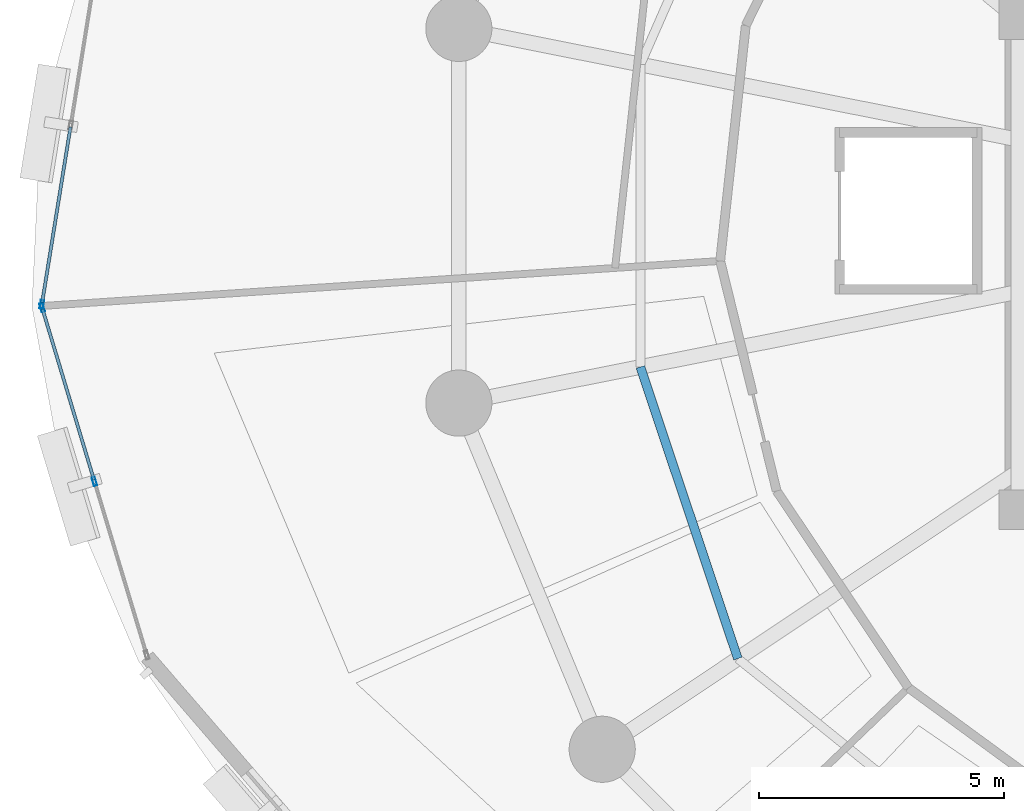
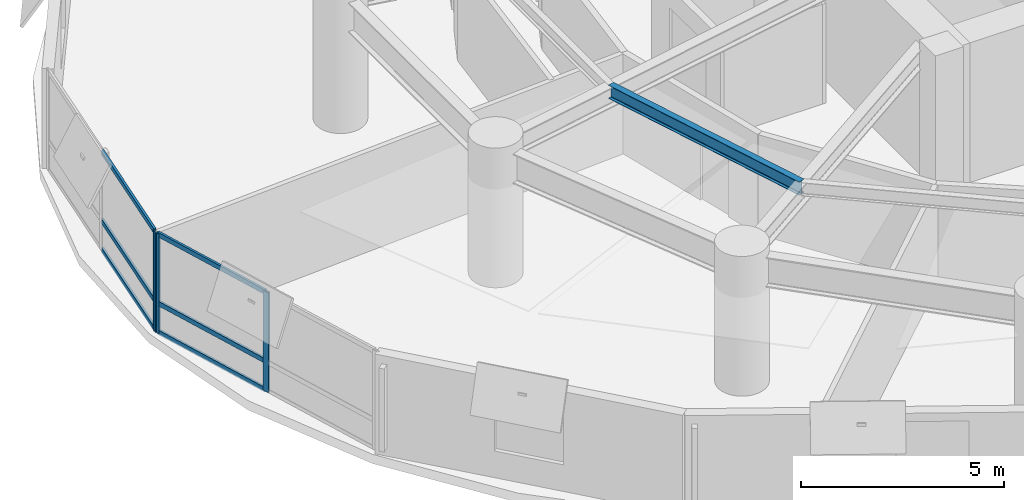
# One storey, part 4 of 16: 9 members, 1 beam, 2 elements without a shape of their own.
"""IFC4 building model written with IfcOpenShell, lengths in metres."""

from ifc_helpers import new_model, si_unit, direction, frame, origin, origin_2d, place, context, subcontext, project, spatial, hollow_rectangle, i_section, extrude, material, layer, layer_set, material_profile, profile_set, type_object, element, aggregate, save


model = new_model("IFC4")

# Units and contexts
model_context = context("Model", 3, precision=1e-05, world=origin(), true_north=direction((0.0, 1.0)))
body_context = subcontext(model_context, "Body", "Model", "MODEL_VIEW")
ifc_project = project(units=[si_unit("LENGTHUNIT", "METRE"), si_unit("AREAUNIT", "SQUARE_METRE"), si_unit("VOLUMEUNIT", "CUBIC_METRE"), si_unit("PLANEANGLEUNIT", "RADIAN"), si_unit("MASSUNIT", "GRAM", prefix="KILO"), si_unit("THERMODYNAMICTEMPERATUREUNIT", "KELVIN"), si_unit("POWERUNIT", "WATT")], contexts=[model_context])

# Site, building, storey
site_placement = place(None, origin())
site = spatial("IfcSite", under=ifc_project, at=site_placement, CompositionType="ELEMENT")
building_placement = place(site_placement, origin())
building = spatial("IfcBuilding", under=site, at=building_placement, Name="Ocrelia Relay Tower", CompositionType="ELEMENT")
storey_placement = place(building_placement, frame((0.0, 0.0, 46.800048828125)))
storey = spatial("IfcBuildingStorey", under=building, at=storey_placement, Name="L10", CompositionType="ELEMENT", Elevation=46.800048828125)

# Beam
ifc_material_1 = material(Name="Steel S355", Category="steel")
ifc_material_profile_1 = material_profile(ifc_material_1, i_section(OverallWidth=0.179931640625, OverallDepth=0.39990234375, WebThickness=0.008544921875, FlangeThickness=0.013427734375, FilletRadius=0.02099609375, at=origin_2d()), Name="IPE 400")
ifc_profile_set_1 = profile_set([ifc_material_profile_1], Name="Steel S355")
beam_type = type_object("IfcBeamType", Name="BM-IPE400", PredefinedType="JOIST", material=ifc_profile_set_1)
beam_placement = place(storey_placement, frame((18.481689453125, 22.9130859375, 3.719970703125), z_axis=(0.317067865999, -0.948402851298, 0.0), x_axis=(0.948402851298, 0.317067865999, 0.0)))
element("IfcBeam", 1, at=beam_placement, inside=storey, type_object=beam_type, Name="L10 Secondary Floor Joist J09", PredefinedType="JOIST", context=body_context, shape_type="SweptSolid", body=[
    extrude(i_section(OverallWidth=0.179931640625, OverallDepth=0.39990234375, WebThickness=0.008544921875, FlangeThickness=0.013427734375, FilletRadius=0.02099609375, at=origin_2d()), origin(), (0.0, 0.0, 1.0), 6.276123046875),
])

# Curtain wall, member
ifc_material_2 = material(Name="Aluminium and solar-control low-E glass", Category="aluminium")
ifc_layer = layer(ifc_material_2, 0.179931640625, Name="Aluminium and solar-control low-E glass")
ifc_layer_set = layer_set([ifc_layer], Name="Aluminium and solar-control low-E glass")
curtain_wall_type = type_object("IfcCurtainWallType", Name="CW-SYS-Z1-DATA", PredefinedType="NOTDEFINED", material=ifc_layer_set)
curtain_wall_1_placement = place(storey_placement, origin())
curtain_wall_1 = element("IfcCurtainWall", 2, at=curtain_wall_1_placement, inside=storey, type_object=curtain_wall_type, Name="L10 Elliptical Tower Curtain Wall Bay 09", PredefinedType="NOTDEFINED")
ifc_material_3 = material(Name="Anodised bronze aluminium", Category="aluminium")
ifc_material_profile_2 = material_profile(ifc_material_3, hollow_rectangle(XDim=0.070068359375, YDim=0.179931640625, WallThickness=0.006103515625, at=origin_2d()), Name="CW-MUL-180x70")
ifc_profile_set_2 = profile_set([ifc_material_profile_2], Name="Anodised bronze aluminium")
member_type_1 = type_object("IfcMemberType", Name="CW-SYS-Z1-DATA-MUL", PredefinedType="MULLION", material=ifc_profile_set_2)
member_1_placement = place(storey_placement, frame((6.2666015625, 24.192138671875, 0.0), z_axis=(0.0, 0.0, 1.0), x_axis=(0.987246140039, -0.159201315878, 0.0)))
member_1 = element("IfcMember", 3, at=member_1_placement, type_object=member_type_1, Name="CW-Z1 mullion 3", PredefinedType="MULLION", context=body_context, shape_type="SweptSolid", body=[
    extrude(hollow_rectangle(XDim=0.070068359375, YDim=0.179931640625, WallThickness=0.006103515625, at=origin_2d()), origin(), (0.0, 0.0, 1.0), 3.0),
])

# Curtain wall, members
curtain_wall_2_placement = place(storey_placement, origin())
curtain_wall_2 = element("IfcCurtainWall", 4, at=curtain_wall_2_placement, inside=storey, type_object=curtain_wall_type, Name="L10 Elliptical Tower Curtain Wall Bay 10", PredefinedType="NOTDEFINED")
member_2_placement = place(storey_placement, frame((6.271240234375, 24.1240234375, 0.0), z_axis=(0.0, 0.0, 1.0), x_axis=(0.957519048291, 0.288370026457, 0.0)))
member_2 = element("IfcMember", 5, at=member_2_placement, type_object=member_type_1, Name="CW-Z1 mullion 1", PredefinedType="MULLION", context=body_context, shape_type="SweptSolid", body=[
    extrude(hollow_rectangle(XDim=0.070068359375, YDim=0.179931640625, WallThickness=0.006103515625, at=origin_2d()), origin(), (0.0, 0.0, 1.0), 3.0),
])
member_3_placement = place(storey_placement, frame((7.3388671875, 20.57861328125, 0.0), z_axis=(0.0, 0.0, 1.0), x_axis=(0.957519048291, 0.288370026457, 0.0)))
member_3 = element("IfcMember", 6, at=member_3_placement, type_object=member_type_1, Name="CW-Z1 mullion 2", PredefinedType="MULLION", context=body_context, shape_type="SweptSolid", body=[
    extrude(hollow_rectangle(XDim=0.070068359375, YDim=0.179931640625, WallThickness=0.006103515625, at=origin_2d()), origin(), (0.0, 0.0, 1.0), 3.0),
])

# Member
ifc_material_profile_3 = material_profile(ifc_material_3, hollow_rectangle(XDim=0.06494140625, YDim=0.139892578125, WallThickness=0.0048828125, at=origin_2d()), Name="CW-TRN-140x65")
ifc_profile_set_3 = profile_set([ifc_material_profile_3], Name="Anodised bronze aluminium")
member_type_2 = type_object("IfcMemberType", Name="CW-SYS-Z1-DATA-TRN", PredefinedType="USERDEFINED", material=ifc_profile_set_3)
member_4_placement = place(storey_placement, frame((6.8505859375, 27.81298828125, 0.032470703125), z_axis=(-0.15921976031, -0.987243165551, 0.0), x_axis=(0.987243165551, -0.15921976031, 0.0)))
member_4 = element("IfcMember", 7, at=member_4_placement, type_object=member_type_2, Name="CW-Z1 transom 2.1", ObjectType="TRANSOM", PredefinedType="USERDEFINED", context=body_context, shape_type="SweptSolid", body=[
    extrude(hollow_rectangle(XDim=0.06494140625, YDim=0.139892578125, WallThickness=0.0048828125, at=origin_2d()), origin(), (0.0, 0.0, 1.0), 3.632568359375),
])

member_5_placement = place(storey_placement, frame((6.8505859375, 27.81298828125, 0.89990234375), z_axis=(-0.15921976031, -0.987243165551, 0.0), x_axis=(0.987243165551, -0.15921976031, 0.0)))
member_5 = element("IfcMember", 8, at=member_5_placement, type_object=member_type_2, Name="CW-Z1 transom 2.2", ObjectType="TRANSOM", PredefinedType="USERDEFINED", context=body_context, shape_type="SweptSolid", body=[
    extrude(hollow_rectangle(XDim=0.06494140625, YDim=0.139892578125, WallThickness=0.0048828125, at=origin_2d()), origin(), (0.0, 0.0, 1.0), 3.632568359375),
])

member_6_placement = place(storey_placement, frame((6.8505859375, 27.81298828125, 2.967529296875), z_axis=(-0.15921976031, -0.987243165551, 0.0), x_axis=(0.987243165551, -0.15921976031, 0.0)))
member_6 = element("IfcMember", 9, at=member_6_placement, type_object=member_type_2, Name="CW-Z1 transom 2.3", ObjectType="TRANSOM", PredefinedType="USERDEFINED", context=body_context, shape_type="SweptSolid", body=[
    extrude(hollow_rectangle(XDim=0.06494140625, YDim=0.139892578125, WallThickness=0.0048828125, at=origin_2d()), origin(), (0.0, 0.0, 1.0), 3.632568359375),
])

aggregate(curtain_wall_1, [member_1, member_4, member_5, member_6])

member_7_placement = place(storey_placement, frame((6.28125, 24.090576171875, 0.032470703125), z_axis=(0.288371191123, -0.957518697536, 0.0), x_axis=(0.957518697536, 0.288371191123, 0.0)))
member_7 = element("IfcMember", 10, at=member_7_placement, type_object=member_type_2, Name="CW-Z1 transom 1.1", ObjectType="TRANSOM", PredefinedType="USERDEFINED", context=body_context, shape_type="SweptSolid", body=[
    extrude(hollow_rectangle(XDim=0.06494140625, YDim=0.139892578125, WallThickness=0.0048828125, at=origin_2d()), origin(), (0.0, 0.0, 1.0), 3.6328125),
])

member_8_placement = place(storey_placement, frame((6.28125, 24.090576171875, 0.89990234375), z_axis=(0.288371191123, -0.957518697536, 0.0), x_axis=(0.957518697536, 0.288371191123, 0.0)))
member_8 = element("IfcMember", 11, at=member_8_placement, type_object=member_type_2, Name="CW-Z1 transom 1.2", ObjectType="TRANSOM", PredefinedType="USERDEFINED", context=body_context, shape_type="SweptSolid", body=[
    extrude(hollow_rectangle(XDim=0.06494140625, YDim=0.139892578125, WallThickness=0.0048828125, at=origin_2d()), origin(), (0.0, 0.0, 1.0), 3.6328125),
])

member_9_placement = place(storey_placement, frame((6.28125, 24.090576171875, 2.967529296875), z_axis=(0.288371191123, -0.957518697536, 0.0), x_axis=(0.957518697536, 0.288371191123, 0.0)))
member_9 = element("IfcMember", 12, at=member_9_placement, type_object=member_type_2, Name="CW-Z1 transom 1.3", ObjectType="TRANSOM", PredefinedType="USERDEFINED", context=body_context, shape_type="SweptSolid", body=[
    extrude(hollow_rectangle(XDim=0.06494140625, YDim=0.139892578125, WallThickness=0.0048828125, at=origin_2d()), origin(), (0.0, 0.0, 1.0), 3.6328125),
])

aggregate(curtain_wall_2, [member_2, member_3, member_7, member_8, member_9])

save(model, "model.ifc")
